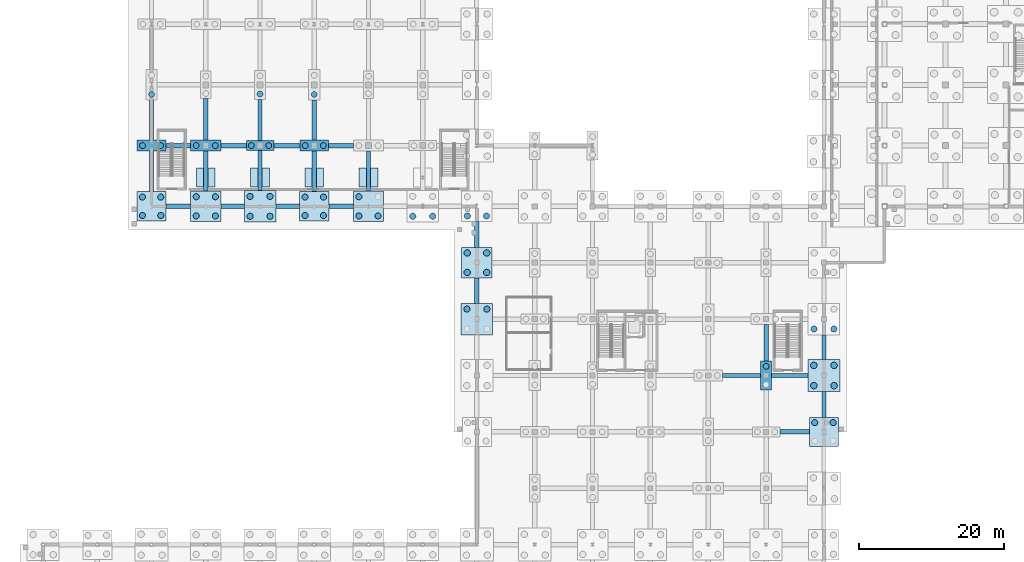
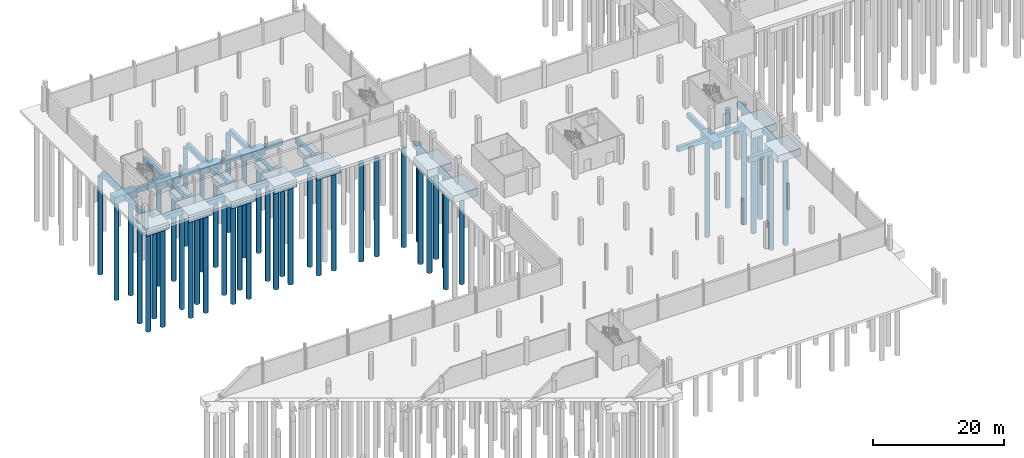
# One storey, part 6 of 44: 49 piles, 43 footings.
"""IFC4 building model written with IfcOpenShell, lengths in metres."""

from ifc_helpers import new_model, si_unit, direction, frame, origin, origin_2d, place, context, subcontext, project, spatial, polyline, rectangle, circle, outline, extrude, material, layer, layer_set, material_profile, profile_set, type_object, element, save


model = new_model("IFC4")

# Units and contexts
model_context = context("Model", 3, precision=1e-05, world=origin(), true_north=direction((0.0, 1.0)))
body_context = subcontext(model_context, "Body", "Model", "MODEL_VIEW")
ifc_project = project(units=[si_unit("LENGTHUNIT", "METRE"), si_unit("AREAUNIT", "SQUARE_METRE"), si_unit("VOLUMEUNIT", "CUBIC_METRE"), si_unit("PLANEANGLEUNIT", "RADIAN"), si_unit("MASSUNIT", "GRAM", prefix="KILO")], contexts=[model_context])

# Site, building, storey
site_placement = place(None, origin())
site = spatial("IfcSite", under=ifc_project, at=site_placement, CompositionType="ELEMENT")
building_placement = place(site_placement, origin())
building = spatial("IfcBuilding", under=site, at=building_placement, Name="Yukiwa Park Conservatory and Herbarium", CompositionType="ELEMENT")
storey_placement = place(building_placement, frame((0.0, 0.0, -4.800048828125)))
storey = spatial("IfcBuildingStorey", under=building, at=storey_placement, Name="B1", CompositionType="ELEMENT", Elevation=-4.800048828125)

# Footings
ifc_material_1 = material(Name="Concrete C35", Category="concrete")
footing_type_1 = type_object("IfcFootingType", Name="FT-BEAM-600X900", PredefinedType="FOOTING_BEAM", material=ifc_material_1)
footing_1_placement = place(storey_placement, frame((0.0, 0.0, -1.349853515625)))
element("IfcFooting", 1, at=footing_1_placement, inside=storey, type_object=footing_type_1, Name="Foundation tie beam X-69", PredefinedType="FOOTING_BEAM", context=body_context, shape_type="SweptSolid", body=[
    extrude(outline(polyline([(101.89990234375, 46.5), (105.97998046875, 46.5), (105.97998046875, 47.10009765625), (101.89990234375, 47.10009765625), (101.89990234375, 46.5)])), origin(), (0.0, 0.0, 1.0), 0.89990234375),
])
footing_2_placement = place(storey_placement, frame((0.0, 0.0, -1.349853515625)))
element("IfcFooting", 2, at=footing_2_placement, inside=storey, type_object=footing_type_1, Name="Foundation tie beam X-74", PredefinedType="FOOTING_BEAM", context=body_context, shape_type="SweptSolid", body=[
    extrude(outline(polyline([(94.0, 54.300048828125), (99.260009765625, 54.300048828125), (99.260009765625, 54.89990234375), (94.0, 54.89990234375), (94.0, 54.300048828125)])), origin(), (0.0, 0.0, 1.0), 0.89990234375),
])
footing_3_placement = place(storey_placement, frame((0.0, 0.0, -1.349853515625)))
element("IfcFooting", 3, at=footing_3_placement, inside=storey, type_object=footing_type_1, Name="Foundation tie beam X-75", PredefinedType="FOOTING_BEAM", context=body_context, shape_type="SweptSolid", body=[
    extrude(outline(polyline([(100.739990234375, 54.300048828125), (105.800048828125, 54.300048828125), (105.800048828125, 54.89990234375), (100.739990234375, 54.89990234375), (100.739990234375, 54.300048828125)])), origin(), (0.0, 0.0, 1.0), 0.89990234375),
])
footing_4_placement = place(storey_placement, frame((0.0, 0.0, -1.349853515625)))
element("IfcFooting", 4, at=footing_4_placement, inside=storey, type_object=footing_type_1, Name="Foundation tie beam X-88", PredefinedType="FOOTING_BEAM", context=body_context, shape_type="SweptSolid", body=[
    extrude(outline(polyline([(17.02001953125, 77.699951171875), (20.39990234375, 77.699951171875), (20.39990234375, 78.300048828125), (17.02001953125, 78.300048828125), (17.02001953125, 77.699951171875)])), origin(), (0.0, 0.0, 1.0), 0.89990234375),
])
footing_5_placement = place(storey_placement, frame((0.0, 0.0, -1.349853515625)))
element("IfcFooting", 5, at=footing_5_placement, inside=storey, type_object=footing_type_1, Name="Foundation tie beam X-89", PredefinedType="FOOTING_BEAM", context=body_context, shape_type="SweptSolid", body=[
    extrude(outline(polyline([(24.60009765625, 77.699951171875), (27.820068359375, 77.699951171875), (27.820068359375, 78.300048828125), (24.60009765625, 78.300048828125), (24.60009765625, 77.699951171875)])), origin(), (0.0, 0.0, 1.0), 0.89990234375),
])
footing_6_placement = place(storey_placement, frame((0.0, 0.0, -1.349853515625)))
element("IfcFooting", 6, at=footing_6_placement, inside=storey, type_object=footing_type_1, Name="Foundation tie beam X-90", PredefinedType="FOOTING_BEAM", context=body_context, shape_type="SweptSolid", body=[
    extrude(outline(polyline([(32.179931640625, 77.699951171875), (35.47998046875, 77.699951171875), (35.47998046875, 78.300048828125), (32.179931640625, 78.300048828125), (32.179931640625, 77.699951171875)])), origin(), (0.0, 0.0, 1.0), 0.89990234375),
])
footing_7_placement = place(storey_placement, frame((0.0, 0.0, -1.349853515625)))
element("IfcFooting", 7, at=footing_7_placement, inside=storey, type_object=footing_type_1, Name="Foundation tie beam X-91", PredefinedType="FOOTING_BEAM", context=body_context, shape_type="SweptSolid", body=[
    extrude(outline(polyline([(39.52001953125, 77.699951171875), (42.89990234375, 77.699951171875), (42.89990234375, 78.300048828125), (39.52001953125, 78.300048828125), (39.52001953125, 77.699951171875)])), origin(), (0.0, 0.0, 1.0), 0.89990234375),
])
footing_8_placement = place(storey_placement, frame((0.0, 0.0, -1.349853515625)))
element("IfcFooting", 8, at=footing_8_placement, inside=storey, type_object=footing_type_1, Name="Foundation tie beam X-107", PredefinedType="FOOTING_BEAM", context=body_context, shape_type="SweptSolid", body=[
    extrude(outline(polyline([(17.0, 86.10009765625), (20.39990234375, 86.10009765625), (20.39990234375, 86.699951171875), (17.0, 86.699951171875), (17.0, 86.10009765625)])), origin(), (0.0, 0.0, 1.0), 0.89990234375),
])
footing_9_placement = place(storey_placement, frame((0.0, 0.0, -1.349853515625)))
element("IfcFooting", 9, at=footing_9_placement, inside=storey, type_object=footing_type_1, Name="Foundation tie beam X-108", PredefinedType="FOOTING_BEAM", context=body_context, shape_type="SweptSolid", body=[
    extrude(outline(polyline([(24.60009765625, 86.10009765625), (28.10009765625, 86.10009765625), (28.10009765625, 86.699951171875), (24.60009765625, 86.699951171875), (24.60009765625, 86.10009765625)])), origin(), (0.0, 0.0, 1.0), 0.89990234375),
])
footing_10_placement = place(storey_placement, frame((0.0, 0.0, -1.349853515625)))
element("IfcFooting", 10, at=footing_10_placement, inside=storey, type_object=footing_type_1, Name="Foundation tie beam X-109", PredefinedType="FOOTING_BEAM", context=body_context, shape_type="SweptSolid", body=[
    extrude(outline(polyline([(31.89990234375, 86.10009765625), (35.5, 86.10009765625), (35.5, 86.699951171875), (31.89990234375, 86.699951171875), (31.89990234375, 86.10009765625)])), origin(), (0.0, 0.0, 1.0), 0.89990234375),
])
footing_11_placement = place(storey_placement, frame((0.0, 0.0, -1.349853515625)))
element("IfcFooting", 11, at=footing_11_placement, inside=storey, type_object=footing_type_1, Name="Foundation tie beam X-110", PredefinedType="FOOTING_BEAM", context=body_context, shape_type="SweptSolid", body=[
    extrude(outline(polyline([(39.5, 86.10009765625), (42.89990234375, 86.10009765625), (42.89990234375, 86.699951171875), (39.5, 86.699951171875), (39.5, 86.10009765625)])), origin(), (0.0, 0.0, 1.0), 0.89990234375),
])
footing_12_placement = place(storey_placement, frame((0.0, 0.0, -1.349853515625)))
element("IfcFooting", 12, at=footing_12_placement, inside=storey, type_object=footing_type_1, Name="Foundation tie beam Y-172", PredefinedType="FOOTING_BEAM", context=body_context, shape_type="SweptSolid", body=[
    extrude(outline(polyline([(14.699951171875, 80.02001953125), (15.300048828125, 80.02001953125), (15.300048828125, 85.659912109375), (14.699951171875, 85.659912109375), (14.699951171875, 80.02001953125)])), origin(), (0.0, 0.0, 1.0), 0.89990234375),
])
footing_13_placement = place(storey_placement, frame((0.0, 0.0, -1.349853515625)))
element("IfcFooting", 13, at=footing_13_placement, inside=storey, type_object=footing_type_1, Name="Foundation tie beam Y-173", PredefinedType="FOOTING_BEAM", context=body_context, shape_type="SweptSolid", body=[
    extrude(outline(polyline([(14.699951171875, 87.139892578125), (15.300048828125, 87.139892578125), (15.300048828125, 92.699951171875), (14.699951171875, 92.699951171875), (14.699951171875, 87.139892578125)])), origin(), (0.0, 0.0, 1.0), 0.89990234375),
])
footing_14_placement = place(storey_placement, frame((0.0, 0.0, -1.349853515625)))
element("IfcFooting", 14, at=footing_14_placement, inside=storey, type_object=footing_type_1, Name="Foundation tie beam Y-180", PredefinedType="FOOTING_BEAM", context=body_context, shape_type="SweptSolid", body=[
    extrude(outline(polyline([(22.199951171875, 80.10009765625), (22.800048828125, 80.10009765625), (22.800048828125, 85.6201171875), (22.199951171875, 85.6201171875), (22.199951171875, 80.10009765625)])), origin(), (0.0, 0.0, 1.0), 0.89990234375),
])
footing_15_placement = place(storey_placement, frame((0.0, 0.0, -1.349853515625)))
element("IfcFooting", 15, at=footing_15_placement, inside=storey, type_object=footing_type_1, Name="Foundation tie beam Y-181", PredefinedType="FOOTING_BEAM", context=body_context, shape_type="SweptSolid", body=[
    extrude(outline(polyline([(22.199951171875, 87.179931640625), (22.800048828125, 87.179931640625), (22.800048828125, 92.89990234375), (22.199951171875, 92.89990234375), (22.199951171875, 87.179931640625)])), origin(), (0.0, 0.0, 1.0), 0.89990234375),
])
footing_16_placement = place(storey_placement, frame((0.0, 0.0, -1.349853515625)))
element("IfcFooting", 16, at=footing_16_placement, inside=storey, type_object=footing_type_1, Name="Foundation tie beam Y-188", PredefinedType="FOOTING_BEAM", context=body_context, shape_type="SweptSolid", body=[
    extrude(outline(polyline([(29.699951171875, 80.179931640625), (30.300048828125, 80.179931640625), (30.300048828125, 85.699951171875), (29.699951171875, 85.699951171875), (29.699951171875, 80.179931640625)])), origin(), (0.0, 0.0, 1.0), 0.89990234375),
])
footing_17_placement = place(storey_placement, frame((0.0, 0.0, -1.349853515625)))
element("IfcFooting", 17, at=footing_17_placement, inside=storey, type_object=footing_type_1, Name="Foundation tie beam Y-189", PredefinedType="FOOTING_BEAM", context=body_context, shape_type="SweptSolid", body=[
    extrude(outline(polyline([(29.699951171875, 87.10009765625), (30.300048828125, 87.10009765625), (30.300048828125, 92.800048828125), (29.699951171875, 92.800048828125), (29.699951171875, 87.10009765625)])), origin(), (0.0, 0.0, 1.0), 0.89990234375),
])
footing_18_placement = place(storey_placement, frame((0.0, 0.0, -1.349853515625)))
element("IfcFooting", 18, at=footing_18_placement, inside=storey, type_object=footing_type_1, Name="Foundation tie beam Y-196", PredefinedType="FOOTING_BEAM", context=body_context, shape_type="SweptSolid", body=[
    extrude(outline(polyline([(37.199951171875, 80.02001953125), (37.800048828125, 80.02001953125), (37.800048828125, 85.659912109375), (37.199951171875, 85.659912109375), (37.199951171875, 80.02001953125)])), origin(), (0.0, 0.0, 1.0), 0.89990234375),
])
footing_19_placement = place(storey_placement, frame((0.0, 0.0, -1.349853515625)))
element("IfcFooting", 19, at=footing_19_placement, inside=storey, type_object=footing_type_1, Name="Foundation tie beam Y-197", PredefinedType="FOOTING_BEAM", context=body_context, shape_type="SweptSolid", body=[
    extrude(outline(polyline([(37.199951171875, 87.139892578125), (37.800048828125, 87.139892578125), (37.800048828125, 92.699951171875), (37.199951171875, 92.699951171875), (37.199951171875, 87.139892578125)])), origin(), (0.0, 0.0, 1.0), 0.89990234375),
])
footing_20_placement = place(storey_placement, frame((0.0, 0.0, -1.349853515625)))
element("IfcFooting", 20, at=footing_20_placement, inside=storey, type_object=footing_type_1, Name="Foundation tie beam Y-204", PredefinedType="FOOTING_BEAM", context=body_context, shape_type="SweptSolid", body=[
    extrude(outline(polyline([(44.699951171875, 80.10009765625), (45.300048828125, 80.10009765625), (45.300048828125, 85.6201171875), (44.699951171875, 85.6201171875), (44.699951171875, 80.10009765625)])), origin(), (0.0, 0.0, 1.0), 0.89990234375),
])
footing_21_placement = place(storey_placement, frame((0.0, 0.0, -1.349853515625)))
element("IfcFooting", 21, at=footing_21_placement, inside=storey, type_object=footing_type_1, Name="Foundation tie beam Y-223", PredefinedType="FOOTING_BEAM", context=body_context, shape_type="SweptSolid", body=[
    extrude(outline(polyline([(59.699951171875, 64.580078125), (60.300048828125, 64.580078125), (60.300048828125, 68.080078125), (59.699951171875, 68.080078125), (59.699951171875, 64.580078125)])), origin(), (0.0, 0.0, 1.0), 0.89990234375),
])
footing_22_placement = place(storey_placement, frame((0.0, 0.0, -1.349853515625)))
element("IfcFooting", 22, at=footing_22_placement, inside=storey, type_object=footing_type_1, Name="Foundation tie beam Y-224", PredefinedType="FOOTING_BEAM", context=body_context, shape_type="SweptSolid", body=[
    extrude(outline(polyline([(59.699951171875, 72.320068359375), (60.300048828125, 72.320068359375), (60.300048828125, 75.89990234375), (59.699951171875, 75.89990234375), (59.699951171875, 72.320068359375)])), origin(), (0.0, 0.0, 1.0), 0.89990234375),
])
footing_23_placement = place(storey_placement, frame((0.0, 0.0, -1.349853515625)))
element("IfcFooting", 23, at=footing_23_placement, inside=storey, type_object=footing_type_1, Name="Foundation tie beam Y-268", PredefinedType="FOOTING_BEAM", context=body_context, shape_type="SweptSolid", body=[
    extrude(outline(polyline([(99.699951171875, 56.60009765625), (100.300048828125, 56.60009765625), (100.300048828125, 61.6201171875), (99.699951171875, 61.6201171875), (99.699951171875, 56.60009765625)])), origin(), (0.0, 0.0, 1.0), 0.89990234375),
])
footing_24_placement = place(storey_placement, frame((0.0, 0.0, -1.349853515625)))
element("IfcFooting", 24, at=footing_24_placement, inside=storey, type_object=footing_type_1, Name="Foundation tie beam Y-275", PredefinedType="FOOTING_BEAM", context=body_context, shape_type="SweptSolid", body=[
    extrude(outline(polyline([(107.699951171875, 48.820068359375), (108.300048828125, 48.820068359375), (108.300048828125, 52.39990234375), (107.699951171875, 52.39990234375), (107.699951171875, 48.820068359375)])), origin(), (0.0, 0.0, 1.0), 0.89990234375),
])
footing_25_placement = place(storey_placement, frame((0.0, 0.0, -1.349853515625)))
element("IfcFooting", 25, at=footing_25_placement, inside=storey, type_object=footing_type_1, Name="Foundation tie beam Y-276", PredefinedType="FOOTING_BEAM", context=body_context, shape_type="SweptSolid", body=[
    extrude(outline(polyline([(107.699951171875, 56.800048828125), (108.300048828125, 56.800048828125), (108.300048828125, 60.219970703125), (107.699951171875, 60.219970703125), (107.699951171875, 56.800048828125)])), origin(), (0.0, 0.0, 1.0), 0.89990234375),
])
ifc_material_2 = material(Name="Concrete C35", Category="concrete")
ifc_layer = layer(ifc_material_2, 1.0)
ifc_layer_set = layer_set([ifc_layer], Name="Concrete C35")
footing_type_2 = type_object("IfcFootingType", Name="FT-PAD-260", PredefinedType="PAD_FOOTING", material=ifc_layer_set)
footing_26_placement = place(storey_placement, frame((0.0, 0.0, -1.5)))
element("IfcFooting", 26, at=footing_26_placement, inside=storey, type_object=footing_type_2, Name="Auditorium gallery column pad footing 1", PredefinedType="PAD_FOOTING", context=body_context, shape_type="SweptSolid", body=[
    extrude(outline(polyline([(21.199951171875, 80.699951171875), (23.800048828125, 80.699951171875), (23.800048828125, 83.300048828125), (21.199951171875, 83.300048828125), (21.199951171875, 80.699951171875)])), origin(), (0.0, 0.0, 1.0), 1.0),
])
footing_27_placement = place(storey_placement, frame((0.0, 0.0, -1.5)))
element("IfcFooting", 27, at=footing_27_placement, inside=storey, type_object=footing_type_2, Name="Auditorium gallery column pad footing 2", PredefinedType="PAD_FOOTING", context=body_context, shape_type="SweptSolid", body=[
    extrude(outline(polyline([(28.699951171875, 80.699951171875), (31.300048828125, 80.699951171875), (31.300048828125, 83.300048828125), (28.699951171875, 83.300048828125), (28.699951171875, 80.699951171875)])), origin(), (0.0, 0.0, 1.0), 1.0),
])
footing_28_placement = place(storey_placement, frame((0.0, 0.0, -1.5)))
element("IfcFooting", 28, at=footing_28_placement, inside=storey, type_object=footing_type_2, Name="Auditorium gallery column pad footing 3", PredefinedType="PAD_FOOTING", context=body_context, shape_type="SweptSolid", body=[
    extrude(outline(polyline([(36.199951171875, 80.699951171875), (38.800048828125, 80.699951171875), (38.800048828125, 83.300048828125), (36.199951171875, 83.300048828125), (36.199951171875, 80.699951171875)])), origin(), (0.0, 0.0, 1.0), 1.0),
])
footing_29_placement = place(storey_placement, frame((0.0, 0.0, -1.5)))
element("IfcFooting", 29, at=footing_29_placement, inside=storey, type_object=footing_type_2, Name="Auditorium gallery column pad footing 4", PredefinedType="PAD_FOOTING", context=body_context, shape_type="SweptSolid", body=[
    extrude(outline(polyline([(43.699951171875, 80.699951171875), (46.300048828125, 80.699951171875), (46.300048828125, 83.300048828125), (43.699951171875, 83.300048828125), (43.699951171875, 80.699951171875)])), origin(), (0.0, 0.0, 1.0), 1.0),
])
ifc_material_3 = material(Name="Concrete C35", Category="concrete")
footing_type_3 = type_object("IfcFootingType", Name="FT-PC-1480X4000X1350", PredefinedType="PILE_CAP", material=ifc_material_3)
footing_30_placement = place(storey_placement, frame((100.0, 54.60009765625, -1.800048828125), z_axis=(0.0, 0.0, 1.0), x_axis=(1.0, 0.0, 0.0)))
element("IfcFooting", 30, at=footing_30_placement, inside=storey, type_object=footing_type_3, Name="Reinforced concrete pile cap 128", PredefinedType="PILE_CAP", context=body_context, shape_type="SweptSolid", body=[
    extrude(rectangle(XDim=1.47998046875, YDim=4.0, at=origin_2d()), origin(), (0.0, 0.0, 1.0), 1.35009765625),
])
ifc_material_4 = material(Name="Concrete C35", Category="concrete")
footing_type_4 = type_object("IfcFootingType", Name="FT-PC-3800X1400X1300", PredefinedType="PILE_CAP", material=ifc_material_4)
footing_31_placement = place(storey_placement, frame((30.0, 86.39990234375, -1.75), z_axis=(0.0, 0.0, 1.0), x_axis=(1.0, 0.0, 0.0)))
element("IfcFooting", 31, at=footing_31_placement, inside=storey, type_object=footing_type_4, Name="Reinforced concrete pile cap 37", PredefinedType="PILE_CAP", context=body_context, shape_type="SweptSolid", body=[
    extrude(rectangle(XDim=3.800048828125, YDim=1.39990234375, at=origin_2d()), origin(), (0.0, 0.0, 1.0), 1.300048828125),
])
ifc_material_5 = material(Name="Concrete C35", Category="concrete")
footing_type_5 = type_object("IfcFootingType", Name="FT-PC-4000X1480X1300", PredefinedType="PILE_CAP", material=ifc_material_5)
for number, where, z_axis, x_axis, name in (
    (32, (15.0, 86.39990234375, -1.75), (0.0, 0.0, 1.0), (1.0, 0.0, 0.0), "Reinforced concrete pile cap 17"),
    (33, (37.5, 86.39990234375, -1.75), (0.0, 0.0, 1.0), (1.0, 0.0, 0.0), "Reinforced concrete pile cap 47"),
):
    element("IfcFooting", number, at=place(storey_placement, frame(where, z_axis=z_axis, x_axis=x_axis)), inside=storey, type_object=footing_type_5, Name=name, PredefinedType="PILE_CAP", context=body_context, shape_type="SweptSolid", body=[
        extrude(rectangle(XDim=4.0, YDim=1.47998046875, at=origin_2d()), origin(), (0.0, 0.0, 1.0), 1.300048828125),
    ])
ifc_material_6 = material(Name="Concrete C35", Category="concrete")
footing_type_6 = type_object("IfcFootingType", Name="FT-PC-4040X4040X1350", PredefinedType="PILE_CAP", material=ifc_material_6)
for number, where, z_axis, x_axis, name in (
    (34, (15.0, 78.0, -1.800048828125), (0.0, 0.0, 1.0), (1.0, 0.0, 0.0), "Reinforced concrete pile cap 16"),
    (35, (37.5, 78.0, -1.800048828125), (0.0, 0.0, 1.0), (1.0, 0.0, 0.0), "Reinforced concrete pile cap 46"),
    (36, (108.0, 46.800048828125, -1.800048828125), (0.0, 0.0, 1.0), (1.0, 0.0, 0.0), "Reinforced concrete pile cap 136"),
):
    element("IfcFooting", number, at=place(storey_placement, frame(where, z_axis=z_axis, x_axis=x_axis)), inside=storey, type_object=footing_type_6, Name=name, PredefinedType="PILE_CAP", context=body_context, shape_type="SweptSolid", body=[
        extrude(rectangle(XDim=4.0400390625, YDim=4.0400390625, at=origin_2d()), origin(), (0.0, 0.0, 1.0), 1.35009765625),
    ])
ifc_material_7 = material(Name="Concrete C35", Category="concrete")
footing_type_7 = type_object("IfcFootingType", Name="FT-PC-4200X1560X1300", PredefinedType="PILE_CAP", material=ifc_material_7)
footing_32_placement = place(storey_placement, frame((22.5, 86.39990234375, -1.75), z_axis=(0.0, 0.0, 1.0), x_axis=(1.0, 0.0, 0.0)))
element("IfcFooting", 37, at=footing_32_placement, inside=storey, type_object=footing_type_7, Name="Reinforced concrete pile cap 27", PredefinedType="PILE_CAP", context=body_context, shape_type="SweptSolid", body=[
    extrude(rectangle(XDim=4.199951171875, YDim=1.56005859375, at=origin_2d()), origin(), (0.0, 0.0, 1.0), 1.300048828125),
])
ifc_material_8 = material(Name="Concrete C35", Category="concrete")
footing_type_8 = type_object("IfcFootingType", Name="FT-PC-4200X4200X1350", PredefinedType="PILE_CAP", material=ifc_material_8)
for number, where, z_axis, x_axis, name in (
    (38, (22.5, 78.0, -1.800048828125), (0.0, 0.0, 1.0), (1.0, 0.0, 0.0), "Reinforced concrete pile cap 26"),
    (39, (45.0, 78.0, -1.800048828125), (0.0, 0.0, 1.0), (1.0, 0.0, 0.0), "Reinforced concrete pile cap 56"),
):
    element("IfcFooting", number, at=place(storey_placement, frame(where, z_axis=z_axis, x_axis=x_axis)), inside=storey, type_object=footing_type_8, Name=name, PredefinedType="PILE_CAP", context=body_context, shape_type="SweptSolid", body=[
        extrude(rectangle(XDim=4.199951171875, YDim=4.199951171875, at=origin_2d()), origin(), (0.0, 0.0, 1.0), 1.35009765625),
    ])
ifc_material_9 = material(Name="Concrete C35", Category="concrete")
footing_type_9 = type_object("IfcFootingType", Name="FT-PC-4240X4240X1400", PredefinedType="PILE_CAP", material=ifc_material_9)
footing_33_placement = place(storey_placement, frame((60.0, 70.199951171875, -1.849853515625), z_axis=(0.0, 0.0, 1.0), x_axis=(1.0, 0.0, 0.0)))
element("IfcFooting", 40, at=footing_33_placement, inside=storey, type_object=footing_type_9, Name="Reinforced concrete pile cap 79", PredefinedType="PILE_CAP", context=body_context, shape_type="SweptSolid", body=[
    extrude(rectangle(XDim=4.239990234375, YDim=4.239990234375, at=origin_2d()), origin(), (0.0, 0.0, 1.0), 1.39990234375),
])
ifc_material_10 = material(Name="Concrete C35", Category="concrete")
footing_type_10 = type_object("IfcFootingType", Name="FT-PC-4360X4360X1350", PredefinedType="PILE_CAP", material=ifc_material_10)
for number, where, z_axis, x_axis, name in (
    (41, (30.0, 78.0, -1.800048828125), (0.0, 0.0, 1.0), (1.0, 0.0, 0.0), "Reinforced concrete pile cap 36"),
    (42, (60.0, 62.39990234375, -1.800048828125), (0.0, 0.0, 1.0), (1.0, 0.0, 0.0), "Reinforced concrete pile cap 78"),
):
    element("IfcFooting", number, at=place(storey_placement, frame(where, z_axis=z_axis, x_axis=x_axis)), inside=storey, type_object=footing_type_10, Name=name, PredefinedType="PILE_CAP", context=body_context, shape_type="SweptSolid", body=[
        extrude(rectangle(XDim=4.360107421875, YDim=4.360107421875, at=origin_2d()), origin(), (0.0, 0.0, 1.0), 1.35009765625),
    ])
ifc_material_11 = material(Name="Concrete C35", Category="concrete")
footing_type_11 = type_object("IfcFootingType", Name="FT-PC-4400X4400X1400", PredefinedType="PILE_CAP", material=ifc_material_11)
footing_34_placement = place(storey_placement, frame((108.0, 54.60009765625, -1.849853515625), z_axis=(0.0, 0.0, 1.0), x_axis=(1.0, 0.0, 0.0)))
element("IfcFooting", 43, at=footing_34_placement, inside=storey, type_object=footing_type_11, Name="Reinforced concrete pile cap 137", PredefinedType="PILE_CAP", context=body_context, shape_type="SweptSolid", body=[
    extrude(rectangle(XDim=4.39990234375, YDim=4.39990234375, at=origin_2d()), origin(), (0.0, 0.0, 1.0), 1.39990234375),
])

# Piles
ifc_material_12 = material(Name="Concrete C35", Category="concrete")
ifc_material_profile_1 = material_profile(ifc_material_12, circle(Radius=0.39990234375, at=origin_2d()), Name="PILE D800")
ifc_profile_set_1 = profile_set([ifc_material_profile_1], Name="Concrete C35")
pile_type_1 = type_object("IfcPileType", Name="PL-BORED-D800", PredefinedType="BORED", material=ifc_profile_set_1)
for number, where, z_axis, x_axis, name in (
    (44, (13.739990234375, 86.39990234375, -1.64990234375), (0.0, 0.0, -1.0), (1.0, 0.0, 0.0), "Bored cast-in-place pile 17.1"),
    (45, (16.260009765625, 86.39990234375, -1.64990234375), (0.0, 0.0, -1.0), (1.0, 0.0, 0.0), "Bored cast-in-place pile 17.2"),
):
    element("IfcPile", number, at=place(storey_placement, frame(where, z_axis=z_axis, x_axis=x_axis)), inside=storey, type_object=pile_type_1, Name=name, PredefinedType="BORED", context=body_context, shape_type="SweptSolid", body=[
        extrude(circle(Radius=0.39990234375, at=origin_2d()), origin(), (0.0, 0.0, 1.0), 18.35009765625),
    ])
pile_1_placement = place(storey_placement, frame((15.0, 93.47998046875, -1.699951171875), z_axis=(0.0, 0.0, -1.0), x_axis=(1.0, 0.0, 0.0)))
element("IfcPile", 46, at=pile_1_placement, inside=storey, type_object=pile_type_1, Name="Bored cast-in-place pile 18.1", PredefinedType="BORED", context=body_context, shape_type="SweptSolid", body=[
    extrude(circle(Radius=0.39990234375, at=origin_2d()), origin(), (0.0, 0.0, 1.0), 18.300048828125),
])
for number, where, z_axis, x_axis, name in (
    (47, (21.179931640625, 86.39990234375, -1.64990234375), (0.0, 0.0, -1.0), (1.0, 0.0, 0.0), "Bored cast-in-place pile 27.1"),
    (48, (23.820068359375, 86.39990234375, -1.64990234375), (0.0, 0.0, -1.0), (1.0, 0.0, 0.0), "Bored cast-in-place pile 27.2"),
    (49, (28.800048828125, 86.39990234375, -1.64990234375), (0.0, 0.0, -1.0), (1.0, 0.0, 0.0), "Bored cast-in-place pile 37.1"),
    (50, (31.199951171875, 86.39990234375, -1.64990234375), (0.0, 0.0, -1.0), (1.0, 0.0, 0.0), "Bored cast-in-place pile 37.2"),
):
    element("IfcPile", number, at=place(storey_placement, frame(where, z_axis=z_axis, x_axis=x_axis)), inside=storey, type_object=pile_type_1, Name=name, PredefinedType="BORED", context=body_context, shape_type="SweptSolid", body=[
        extrude(circle(Radius=0.39990234375, at=origin_2d()), origin(), (0.0, 0.0, 1.0), 18.35009765625),
    ])
pile_2_placement = place(storey_placement, frame((30.0, 93.5400390625, -1.699951171875), z_axis=(0.0, 0.0, -1.0), x_axis=(1.0, 0.0, 0.0)))
element("IfcPile", 51, at=pile_2_placement, inside=storey, type_object=pile_type_1, Name="Bored cast-in-place pile 38.1", PredefinedType="BORED", context=body_context, shape_type="SweptSolid", body=[
    extrude(circle(Radius=0.39990234375, at=origin_2d()), origin(), (0.0, 0.0, 1.0), 18.300048828125),
])
for number, where, z_axis, x_axis, name in (
    (52, (36.239990234375, 86.39990234375, -1.64990234375), (0.0, 0.0, -1.0), (1.0, 0.0, 0.0), "Bored cast-in-place pile 47.1"),
    (53, (38.760009765625, 86.39990234375, -1.64990234375), (0.0, 0.0, -1.0), (1.0, 0.0, 0.0), "Bored cast-in-place pile 47.2"),
):
    element("IfcPile", number, at=place(storey_placement, frame(where, z_axis=z_axis, x_axis=x_axis)), inside=storey, type_object=pile_type_1, Name=name, PredefinedType="BORED", context=body_context, shape_type="SweptSolid", body=[
        extrude(circle(Radius=0.39990234375, at=origin_2d()), origin(), (0.0, 0.0, 1.0), 18.35009765625),
    ])
for number, where, z_axis, x_axis, name in (
    (54, (37.5, 93.47998046875, -1.699951171875), (0.0, 0.0, -1.0), (1.0, 0.0, 0.0), "Bored cast-in-place pile 48.1"),
    (55, (100.0, 55.860107421875, -1.699951171875), (0.0, 0.0, -1.0), (1.0, 0.0, 0.0), "Bored cast-in-place pile 128.2"),
):
    element("IfcPile", number, at=place(storey_placement, frame(where, z_axis=z_axis, x_axis=x_axis)), inside=storey, type_object=pile_type_1, Name=name, PredefinedType="BORED", context=body_context, shape_type="SweptSolid", body=[
        extrude(circle(Radius=0.39990234375, at=origin_2d()), origin(), (0.0, 0.0, 1.0), 18.300048828125),
    ])
ifc_material_13 = material(Name="Concrete C35", Category="concrete")
ifc_material_profile_2 = material_profile(ifc_material_13, circle(Radius=0.425048828125, at=origin_2d()), Name="PILE D850")
ifc_profile_set_2 = profile_set([ifc_material_profile_2], Name="Concrete C35")
pile_type_2 = type_object("IfcPileType", Name="PL-BORED-D850", PredefinedType="BORED", material=ifc_profile_set_2)
for number, where, z_axis, x_axis, name in (
    (56, (13.72509765625, 76.72509765625, -1.699951171875), (0.0, 0.0, -1.0), (1.0, 0.0, 0.0), "Bored cast-in-place pile 16.1"),
    (57, (16.27490234375, 76.72509765625, -1.699951171875), (0.0, 0.0, -1.0), (1.0, 0.0, 0.0), "Bored cast-in-place pile 16.2"),
    (58, (13.72509765625, 79.27490234375, -1.699951171875), (0.0, 0.0, -1.0), (1.0, 0.0, 0.0), "Bored cast-in-place pile 16.3"),
    (59, (16.27490234375, 79.27490234375, -1.699951171875), (0.0, 0.0, -1.0), (1.0, 0.0, 0.0), "Bored cast-in-place pile 16.4"),
    (60, (21.175048828125, 76.675048828125, -1.699951171875), (0.0, 0.0, -1.0), (1.0, 0.0, 0.0), "Bored cast-in-place pile 26.1"),
    (61, (23.824951171875, 76.675048828125, -1.699951171875), (0.0, 0.0, -1.0), (1.0, 0.0, 0.0), "Bored cast-in-place pile 26.2"),
    (62, (21.175048828125, 79.324951171875, -1.699951171875), (0.0, 0.0, -1.0), (1.0, 0.0, 0.0), "Bored cast-in-place pile 26.3"),
    (63, (23.824951171875, 79.324951171875, -1.699951171875), (0.0, 0.0, -1.0), (1.0, 0.0, 0.0), "Bored cast-in-place pile 26.4"),
    (64, (28.625, 76.625, -1.699951171875), (0.0, 0.0, -1.0), (1.0, 0.0, 0.0), "Bored cast-in-place pile 36.1"),
    (65, (31.375, 76.625, -1.699951171875), (0.0, 0.0, -1.0), (1.0, 0.0, 0.0), "Bored cast-in-place pile 36.2"),
    (66, (28.625, 79.375, -1.699951171875), (0.0, 0.0, -1.0), (1.0, 0.0, 0.0), "Bored cast-in-place pile 36.3"),
    (67, (31.375, 79.375, -1.699951171875), (0.0, 0.0, -1.0), (1.0, 0.0, 0.0), "Bored cast-in-place pile 36.4"),
    (68, (36.22509765625, 76.72509765625, -1.699951171875), (0.0, 0.0, -1.0), (1.0, 0.0, 0.0), "Bored cast-in-place pile 46.1"),
    (69, (38.77490234375, 76.72509765625, -1.699951171875), (0.0, 0.0, -1.0), (1.0, 0.0, 0.0), "Bored cast-in-place pile 46.2"),
    (70, (36.22509765625, 79.27490234375, -1.699951171875), (0.0, 0.0, -1.0), (1.0, 0.0, 0.0), "Bored cast-in-place pile 46.3"),
    (71, (38.77490234375, 79.27490234375, -1.699951171875), (0.0, 0.0, -1.0), (1.0, 0.0, 0.0), "Bored cast-in-place pile 46.4"),
    (72, (43.675048828125, 76.675048828125, -1.699951171875), (0.0, 0.0, -1.0), (1.0, 0.0, 0.0), "Bored cast-in-place pile 56.1"),
    (73, (46.324951171875, 76.675048828125, -1.699951171875), (0.0, 0.0, -1.0), (1.0, 0.0, 0.0), "Bored cast-in-place pile 56.2"),
    (74, (43.675048828125, 79.324951171875, -1.699951171875), (0.0, 0.0, -1.0), (1.0, 0.0, 0.0), "Bored cast-in-place pile 56.3"),
    (75, (51.125, 76.625, -1.699951171875), (0.0, 0.0, -1.0), (1.0, 0.0, 0.0), "Bored cast-in-place pile 66.1"),
    (76, (53.875, 76.625, -1.699951171875), (0.0, 0.0, -1.0), (1.0, 0.0, 0.0), "Bored cast-in-place pile 66.2"),
    (77, (58.625, 63.77490234375, -1.699951171875), (0.0, 0.0, -1.0), (1.0, 0.0, 0.0), "Bored cast-in-place pile 78.3"),
    (78, (61.375, 63.77490234375, -1.699951171875), (0.0, 0.0, -1.0), (1.0, 0.0, 0.0), "Bored cast-in-place pile 78.4"),
    (79, (58.675048828125, 76.675048828125, -1.699951171875), (0.0, 0.0, -1.0), (1.0, 0.0, 0.0), "Bored cast-in-place pile 80.1"),
    (80, (61.324951171875, 76.675048828125, -1.699951171875), (0.0, 0.0, -1.0), (1.0, 0.0, 0.0), "Bored cast-in-place pile 80.2"),
    (81, (106.72509765625, 48.074951171875, -1.699951171875), (0.0, 0.0, -1.0), (1.0, 0.0, 0.0), "Bored cast-in-place pile 136.3"),
    (82, (109.27490234375, 48.074951171875, -1.699951171875), (0.0, 0.0, -1.0), (1.0, 0.0, 0.0), "Bored cast-in-place pile 136.4"),
    (83, (106.625, 61.02490234375, -1.699951171875), (0.0, 0.0, -1.0), (1.0, 0.0, 0.0), "Bored cast-in-place pile 138.1"),
    (84, (109.375, 61.02490234375, -1.699951171875), (0.0, 0.0, -1.0), (1.0, 0.0, 0.0), "Bored cast-in-place pile 138.2"),
):
    element("IfcPile", number, at=place(storey_placement, frame(where, z_axis=z_axis, x_axis=x_axis)), inside=storey, type_object=pile_type_2, Name=name, PredefinedType="BORED", context=body_context, shape_type="SweptSolid", body=[
        extrude(circle(Radius=0.425048828125, at=origin_2d()), origin(), (0.0, 0.0, 1.0), 18.300048828125),
    ])
ifc_material_14 = material(Name="Concrete C35", Category="concrete")
ifc_material_profile_3 = material_profile(ifc_material_14, circle(Radius=0.449951171875, at=origin_2d()), Name="PILE D900")
ifc_profile_set_3 = profile_set([ifc_material_profile_3], Name="Concrete C35")
pile_type_3 = type_object("IfcPileType", Name="PL-BORED-D900", PredefinedType="BORED", material=ifc_profile_set_3)
for number, where, z_axis, x_axis, name in (
    (85, (58.64990234375, 68.85009765625, -1.75), (0.0, 0.0, -1.0), (1.0, 0.0, 0.0), "Bored cast-in-place pile 79.1"),
    (86, (61.35009765625, 68.85009765625, -1.75), (0.0, 0.0, -1.0), (1.0, 0.0, 0.0), "Bored cast-in-place pile 79.2"),
    (87, (58.64990234375, 71.550048828125, -1.75), (0.0, 0.0, -1.0), (1.0, 0.0, 0.0), "Bored cast-in-place pile 79.3"),
    (88, (61.35009765625, 71.550048828125, -1.75), (0.0, 0.0, -1.0), (1.0, 0.0, 0.0), "Bored cast-in-place pile 79.4"),
    (89, (106.60009765625, 53.199951171875, -1.75), (0.0, 0.0, -1.0), (1.0, 0.0, 0.0), "Bored cast-in-place pile 137.1"),
    (90, (109.39990234375, 53.199951171875, -1.75), (0.0, 0.0, -1.0), (1.0, 0.0, 0.0), "Bored cast-in-place pile 137.2"),
    (91, (106.60009765625, 56.0, -1.75), (0.0, 0.0, -1.0), (1.0, 0.0, 0.0), "Bored cast-in-place pile 137.3"),
    (92, (109.39990234375, 56.0, -1.75), (0.0, 0.0, -1.0), (1.0, 0.0, 0.0), "Bored cast-in-place pile 137.4"),
):
    element("IfcPile", number, at=place(storey_placement, frame(where, z_axis=z_axis, x_axis=x_axis)), inside=storey, type_object=pile_type_3, Name=name, PredefinedType="BORED", context=body_context, shape_type="SweptSolid", body=[
        extrude(circle(Radius=0.449951171875, at=origin_2d()), origin(), (0.0, 0.0, 1.0), 18.25),
    ])

save(model, "model.ifc")
